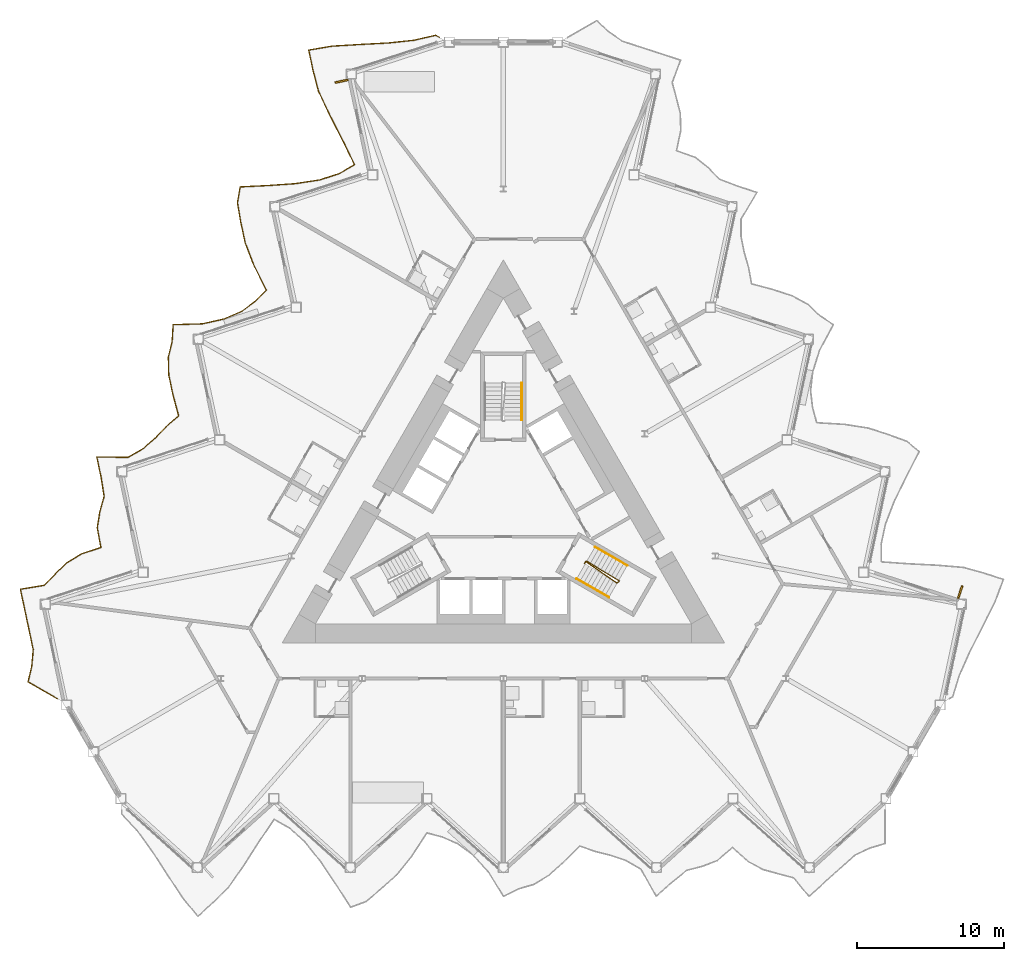
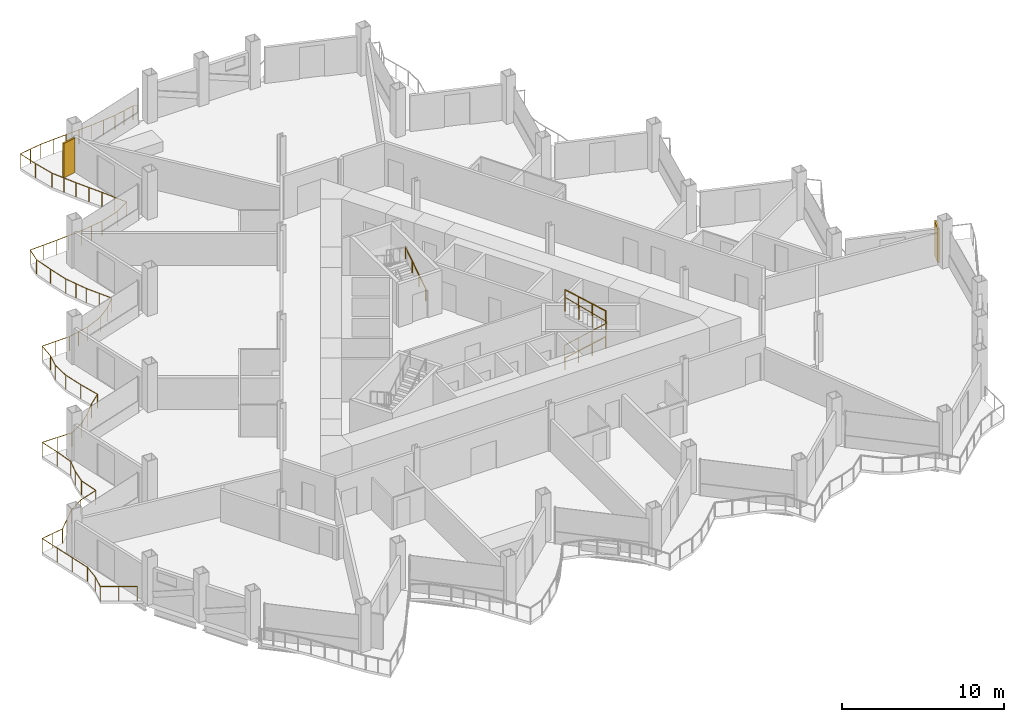
# One storey, part 20 of 23: 5 railings, 2 shading devices.
"""IFC4 building model written with IfcOpenShell, lengths in metres."""

from ifc_helpers import new_model, si_unit, direction, frame, origin, origin_2d, place, context, subcontext, project, spatial, rectangle, circle, extrude, material, layer, layer_set, type_object, element, save


model = new_model("IFC4")

# Units and contexts
model_context = context("Model", 3, precision=1e-05, world=origin(), true_north=direction((0.0, 1.0)))
body_context = subcontext(model_context, "Body", "Model", "MODEL_VIEW")
ifc_project = project(units=[si_unit("LENGTHUNIT", "METRE"), si_unit("AREAUNIT", "SQUARE_METRE"), si_unit("VOLUMEUNIT", "CUBIC_METRE"), si_unit("PLANEANGLEUNIT", "RADIAN"), si_unit("MASSUNIT", "GRAM", prefix="KILO")], contexts=[model_context])

# Site, building, storey
site_placement = place(None, origin())
site = spatial("IfcSite", under=ifc_project, at=site_placement, CompositionType="ELEMENT")
building_placement = place(site_placement, origin())
building = spatial("IfcBuilding", under=site, at=building_placement, Name="Cormorant Prow Tower", CompositionType="ELEMENT")
storey_placement = place(building_placement, frame((0.0, 0.0, 252.60009765625)))
storey = spatial("IfcBuildingStorey", under=building, at=storey_placement, Name="L56", CompositionType="ELEMENT", Elevation=252.60009765625)

# Railings
ifc_material_1 = material(Name="Aluminium 6063-T6", Category="aluminium")
railing_type_1 = type_object("IfcRailingType", Name="Balcony guard 1100", PredefinedType="GUARDRAIL", material=ifc_material_1)
railing_1_placement = place(storey_placement, frame((-4.348876953125, 32.414794921875, 0.0)))
element("IfcRailing", 1, at=railing_1_placement, inside=storey, type_object=railing_type_1, Name="Balcony guard WNW", PredefinedType="GUARDRAIL", context=body_context, shape_type="SweptSolid", body=[
    extrude(circle(Radius=0.02392578125, at=origin_2d()), frame((0.0, 0.0, 1.076171875), z_axis=(-0.865838944724, 0.500322817589, 0.0), x_axis=(-0.500322817589, -0.865838944724, 0.0)), (0.0, 0.0, 1.0), 0.269775390625),
    extrude(circle(Radius=0.02392578125, at=origin_2d()), frame((-0.233642578125, 0.135009765625, 1.076171875), z_axis=(-0.974797751922, -0.22309043648, 0.0), x_axis=(0.22309043648, -0.974797751922, 0.0)), (0.0, 0.0, 1.0), 1.522216796875),
    extrude(circle(Radius=0.02392578125, at=origin_2d()), frame((-1.717529296875, -0.20458984375, 1.076171875), z_axis=(-0.994581794299, -0.103956983649, 0.0), x_axis=(0.103956983649, -0.994581794299, 0.0)), (0.0, 0.0, 1.0), 1.763671875),
    extrude(circle(Radius=0.02392578125, at=origin_2d()), frame((-3.4716796875, -0.387939453125, 1.076171875), z_axis=(-0.998620310905, -0.052511662016, 0.0), x_axis=(0.052511662016, -0.998620310905, 0.0)), (0.0, 0.0, 1.0), 1.901611328125),
    extrude(circle(Radius=0.02392578125, at=origin_2d()), frame((-5.37060546875, -0.48779296875, 1.076171875), z_axis=(-0.998198317464, -0.06000099176, 0.0), x_axis=(0.06000099176, -0.998198317464, 0.0)), (0.0, 0.0, 1.0), 1.8798828125),
    extrude(circle(Radius=0.02392578125, at=origin_2d()), frame((-7.2470703125, -0.6005859375, 1.076171875), z_axis=(-0.986349342736, -0.164666250595, 0.0), x_axis=(0.164666250595, -0.986349342736, 0.0)), (0.0, 0.0, 1.0), 1.62939453125),
    extrude(circle(Radius=0.02392578125, at=origin_2d()), frame((-8.854248046875, -0.868896484375, 1.076171875), z_axis=(0.207890175504, -0.978152173708, 0.0), x_axis=(0.978152173708, 0.207890175504, 0.0)), (0.0, 0.0, 1.0), 1.39404296875),
    extrude(circle(Radius=0.02392578125, at=origin_2d()), frame((-8.564453125, -2.232421875, 1.076171875), z_axis=(0.250868855588, -0.968021083084, 0.0), x_axis=(0.968021083084, 0.250868855588, 0.0)), (0.0, 0.0, 1.0), 1.452880859375),
    extrude(circle(Radius=0.02392578125, at=origin_2d()), frame((-8.199951171875, -3.638916015625, 1.076171875), z_axis=(0.42504452231, -0.905172444374, 0.0), x_axis=(0.905172444374, 0.42504452231, 0.0)), (0.0, 0.0, 1.0), 1.812744140625),
    extrude(circle(Radius=0.02392578125, at=origin_2d()), frame((-7.429443359375, -5.27978515625, 1.076171875), z_axis=(0.457042214947, -0.889445003222, 0.0), x_axis=(0.889445003222, 0.457042214947, 0.0)), (0.0, 0.0, 1.0), 1.912353515625),
    extrude(circle(Radius=0.02392578125, at=origin_2d()), frame((-6.555419921875, -6.980712890625, 1.076171875), z_axis=(0.436662581505, -0.899625360866, 0.0), x_axis=(0.899625360866, 0.436662581505, 0.0)), (0.0, 0.0, 1.0), 1.84716796875),
    extrude(circle(Radius=0.02392578125, at=origin_2d()), frame((-5.748779296875, -8.642578125, 1.076171875), z_axis=(-0.86235547219, -0.506303307894, 0.0), x_axis=(0.506303307894, -0.86235547219, 0.0)), (0.0, 0.0, 1.0), 1.19091796875),
    extrude(circle(Radius=0.02392578125, at=origin_2d()), frame((-6.77587890625, -9.24560546875, 1.076171875), z_axis=(-0.952316734925, -0.305111186918, 0.0), x_axis=(0.305111186918, -0.952316734925, 0.0)), (0.0, 0.0, 1.0), 1.3994140625),
    extrude(circle(Radius=0.02392578125, at=origin_2d()), frame((-8.108642578125, -9.672607421875, 1.076171875), z_axis=(-0.988417686889, -0.151757952821, 0.0), x_axis=(0.151757952821, -0.988417686889, 0.0)), (0.0, 0.0, 1.0), 1.655517578125),
    extrude(circle(Radius=0.02392578125, at=origin_2d()), frame((-9.744873046875, -9.923828125, 1.076171875), z_axis=(-0.997587421512, -0.069421440794, 0.0), x_axis=(0.069421440794, -0.997587421512, 0.0)), (0.0, 0.0, 1.0), 1.853271484375),
    extrude(circle(Radius=0.02392578125, at=origin_2d()), frame((-11.59375, -10.052490234375, 1.076171875), z_axis=(-0.998789958657, -0.049179451859, 0.0), x_axis=(0.049179451859, -0.998789958657, 0.0)), (0.0, 0.0, 1.0), 1.9111328125),
    extrude(circle(Radius=0.02392578125, at=origin_2d()), frame((-13.502685546875, -10.146484375, 1.076171875), z_axis=(-0.165329575329, -0.986238374594, 0.0), x_axis=(0.986238374594, -0.165329575329, 0.0)), (0.0, 0.0, 1.0), 1.10595703125),
    extrude(circle(Radius=0.02392578125, at=origin_2d()), frame((-13.685546875, -11.2373046875, 1.076171875), z_axis=(0.171493859519, -0.985185188758, 0.0), x_axis=(0.985185188758, 0.171493859519, 0.0)), (0.0, 0.0, 1.0), 1.349609375),
    extrude(circle(Radius=0.02392578125, at=origin_2d()), frame((-13.4541015625, -12.56689453125, 1.076171875), z_axis=(0.207890175504, -0.978152173708, 0.0), x_axis=(0.978152173708, 0.207890175504, 0.0)), (0.0, 0.0, 1.0), 1.39404296875),
    extrude(circle(Radius=0.02392578125, at=origin_2d()), frame((-13.164306640625, -13.930419921875, 1.076171875), z_axis=(0.359435546798, -0.933169913627, 0.0), x_axis=(0.933169913627, 0.359435546798, 0.0)), (0.0, 0.0, 1.0), 1.6484375),
    extrude(circle(Radius=0.02392578125, at=origin_2d()), frame((-12.57177734375, -15.46875, 1.076171875), z_axis=(0.448509020419, -0.893778305064, 0.0), x_axis=(0.893778305064, 0.448509020419, 0.0)), (0.0, 0.0, 1.0), 1.884033203125),
    extrude(circle(Radius=0.02392578125, at=origin_2d()), frame((-11.726806640625, -17.152587890625, 1.076171875), z_axis=(-0.7048250733, -0.709381150051, 0.0), x_axis=(0.709381150051, -0.7048250733, 0.0)), (0.0, 0.0, 1.0), 1.07177734375),
    extrude(circle(Radius=0.02392578125, at=origin_2d()), frame((-12.482177734375, -17.912841796875, 1.076171875), z_axis=(-0.803334958935, -0.595527450042, 0.0), x_axis=(0.595527450042, -0.803334958935, 0.0)), (0.0, 0.0, 1.0), 1.12890625),
    extrude(circle(Radius=0.02392578125, at=origin_2d()), frame((-13.38916015625, -18.585205078125, 1.076171875), z_axis=(-0.916825847668, -0.399287321421, 0.0), x_axis=(0.399287321421, -0.916825847668, 0.0)), (0.0, 0.0, 1.0), 1.288330078125),
    extrude(circle(Radius=0.02392578125, at=origin_2d()), frame((-14.5703125, -19.099609375, 1.076171875), z_axis=(-0.976351593548, -0.21618872722, 0.0), x_axis=(0.21618872722, -0.976351593548, 0.0)), (0.0, 0.0, 1.0), 1.53369140625),
    extrude(circle(Radius=0.02392578125, at=origin_2d()), frame((-16.067626953125, -19.43115234375, 1.076171875), z_axis=(-0.999614039772, -0.027780775562, 0.0), x_axis=(0.027780775562, -0.999614039772, 0.0)), (0.0, 0.0, 1.0), 1.977294921875),
    extrude(circle(Radius=0.02392578125, at=origin_2d()), frame((-18.044189453125, -19.486083984375, 1.076171875), z_axis=(-0.062903941759, -0.998019586036, 0.0), x_axis=(0.998019586036, -0.062903941759, 0.0)), (0.0, 0.0, 1.0), 1.156494140625),
    extrude(circle(Radius=0.02392578125, at=origin_2d()), frame((-18.116943359375, -20.640380859375, 1.076171875), z_axis=(-0.237367680999, -0.97141988039, 0.0), x_axis=(0.97141988039, -0.237367680999, 0.0)), (0.0, 0.0, 1.0), 1.078857421875),
    extrude(circle(Radius=0.02392578125, at=origin_2d()), frame((-18.373046875, -21.6884765625, 1.076171875), z_axis=(0.02414268922, -0.999708522799, 0.0), x_axis=(0.999708522799, 0.02414268922, 0.0)), (0.0, 0.0, 1.0), 1.21337890625),
    extrude(circle(Radius=0.02392578125, at=origin_2d()), frame((-18.34375, -22.901611328125, 1.076171875), z_axis=(0.207890175504, -0.978152173708, 0.0), x_axis=(0.978152173708, 0.207890175504, 0.0)), (0.0, 0.0, 1.0), 1.39404296875),
    extrude(circle(Radius=0.02392578125, at=origin_2d()), frame((-18.053955078125, -24.26513671875, 1.076171875), z_axis=(0.259848107704, -0.965649502109, 0.0), x_axis=(0.965649502109, 0.259848107704, 0.0)), (0.0, 0.0, 1.0), 1.466552734375),
    extrude(circle(Radius=0.02392578125, at=origin_2d()), frame((-17.6728515625, -25.681396484375, 1.076171875), z_axis=(-0.761462428068, -0.648209048565, 0.0), x_axis=(0.648209048565, -0.761462428068, 0.0)), (0.0, 0.0, 1.0), 1.099365234375),
    extrude(circle(Radius=0.02392578125, at=origin_2d()), frame((-18.510009765625, -26.39404296875, 1.076171875), z_axis=(-0.694067852913, -0.719909588458, 0.0), x_axis=(0.719909588458, -0.694067852913, 0.0)), (0.0, 0.0, 1.0), 1.067626953125),
    extrude(circle(Radius=0.02392578125, at=origin_2d()), frame((-19.2509765625, -27.16259765625, 1.076171875), z_axis=(-0.747285863971, -0.664502699399, 0.0), x_axis=(0.664502699399, -0.747285863971, 0.0)), (0.0, 0.0, 1.0), 1.09130859375),
    extrude(circle(Radius=0.02392578125, at=origin_2d()), frame((-20.06640625, -27.8876953125, 1.076171875), z_axis=(-0.867414347486, -0.497586524914, 0.0), x_axis=(0.497586524914, -0.867414347486, 0.0)), (0.0, 0.0, 1.0), 1.1982421875),
    extrude(circle(Radius=0.02392578125, at=origin_2d()), frame((-21.105712890625, -28.48388671875, 1.076171875), z_axis=(-0.999921071725, 0.012563849777, 0.0), x_axis=(-0.012563849777, -0.999921071725, 0.0)), (0.0, 0.0, 1.0), 2.1181640625),
    extrude(circle(Radius=0.02392578125, at=origin_2d()), frame((-23.2236328125, -28.457275390625, 1.076171875), z_axis=(0.207890175504, -0.978152173708, 0.0), x_axis=(0.978152173708, 0.207890175504, 0.0)), (0.0, 0.0, 1.0), 1.39404296875),
    extrude(circle(Radius=0.02392578125, at=origin_2d()), frame((-22.933837890625, -29.82080078125, 1.076171875), z_axis=(0.157062298788, -0.987588696928, 0.0), x_axis=(0.987588696928, 0.157062298788, 0.0)), (0.0, 0.0, 1.0), 1.333740234375),
    extrude(circle(Radius=0.02392578125, at=origin_2d()), frame((-22.724365234375, -31.137939453125, 1.076171875), z_axis=(-0.273332360678, -0.961919653924, 0.0), x_axis=(0.961919653924, -0.273332360678, 0.0)), (0.0, 0.0, 1.0), 1.068359375),
    extrude(circle(Radius=0.02392578125, at=origin_2d()), frame((-23.016357421875, -32.16552734375, 1.076171875), z_axis=(-0.157363849991, -0.987540692182, 0.0), x_axis=(0.987540692182, -0.157363849991, 0.0)), (0.0, 0.0, 1.0), 1.109375),
    extrude(circle(Radius=0.02392578125, at=origin_2d()), frame((-23.19091796875, -33.260986328125, 1.076171875), z_axis=(0.181646185978, -0.983363952522, 0.0), x_axis=(0.983363952522, 0.181646185978, 0.0)), (0.0, 0.0, 1.0), 1.361572265625),
    extrude(circle(Radius=0.02392578125, at=origin_2d()), frame((-22.943603515625, -34.599853515625, 1.076171875), z_axis=(-0.95107267583, -0.308967256015, 0.0), x_axis=(0.308967256015, -0.95107267583, 0.0)), (0.0, 0.0, 1.0), 1.393798828125),
    extrude(circle(Radius=0.02392578125, at=origin_2d()), frame((-24.269287109375, -35.030517578125, 1.076171875), z_axis=(-0.851095176642, -0.52501142873, 0.0), x_axis=(0.52501142873, -0.851095176642, 0.0)), (0.0, 0.0, 1.0), 1.177001953125),
    extrude(circle(Radius=0.02392578125, at=origin_2d()), frame((-25.27099609375, -35.6484375, 1.076171875), z_axis=(-0.712876020925, -0.701290081771, 0.0), x_axis=(0.701290081771, -0.712876020925, 0.0)), (0.0, 0.0, 1.0), 1.07470703125),
    extrude(circle(Radius=0.02392578125, at=origin_2d()), frame((-26.037109375, -36.402099609375, 1.076171875), z_axis=(-0.70733432961, -0.706879159514, 0.0), x_axis=(0.706879159514, -0.70733432961, 0.0)), (0.0, 0.0, 1.0), 1.07275390625),
    extrude(circle(Radius=0.02392578125, at=origin_2d()), frame((-26.7958984375, -37.160400390625, 1.076171875), z_axis=(-0.986349342736, -0.164666250595, 0.0), x_axis=(0.164666250595, -0.986349342736, 0.0)), (0.0, 0.0, 1.0), 1.62939453125),
    extrude(circle(Radius=0.02392578125, at=origin_2d()), frame((-28.403076171875, -37.4287109375, 1.076171875), z_axis=(0.207925795705, -0.978144602541, 0.0), x_axis=(0.978144602541, 0.207925795705, 0.0)), (0.0, 0.0, 1.0), 1.393798828125),
    extrude(circle(Radius=0.02392578125, at=origin_2d()), frame((-28.11328125, -38.7919921875, 1.076171875), z_axis=(0.207890175504, -0.978152173708, 0.0), x_axis=(0.978152173708, 0.207890175504, 0.0)), (0.0, 0.0, 1.0), 1.39404296875),
    extrude(circle(Radius=0.02392578125, at=origin_2d()), frame((-27.823486328125, -40.155517578125, 1.076171875), z_axis=(0.207890175504, -0.978152173708, 0.0), x_axis=(0.978152173708, 0.207890175504, 0.0)), (0.0, 0.0, 1.0), 1.39404296875),
    extrude(circle(Radius=0.02392578125, at=origin_2d()), frame((-27.53369140625, -41.51904296875, 1.076171875), z_axis=(-0.086261062439, -0.996272567678, 0.0), x_axis=(0.996272567678, -0.086261062439, 0.0)), (0.0, 0.0, 1.0), 1.143310546875),
    extrude(circle(Radius=0.02392578125, at=origin_2d()), frame((-27.63232421875, -42.658203125, 1.076171875), z_axis=(-0.23194620114, -0.972728615687, 0.0), x_axis=(0.972728615687, -0.23194620114, 0.0)), (0.0, 0.0, 1.0), 1.0810546875),
    extrude(circle(Radius=0.02392578125, at=origin_2d()), frame((-27.883056640625, -43.709716796875, 1.076171875), z_axis=(0.866052595322, -0.499952899918, 0.0), x_axis=(0.499952899918, 0.866052595322, 0.0)), (0.0, 0.0, 1.0), 2.292724609375),
    extrude(circle(Radius=0.02099609375, at=origin_2d()), origin(), (0.0, 0.0, 1.0), 1.052001953125),
    extrude(circle(Radius=0.02099609375, at=origin_2d()), frame((-0.233642578125, 0.135009765625, 0.0)), (0.0, 0.0, 1.0), 1.052001953125),
    extrude(circle(Radius=0.02099609375, at=origin_2d()), frame((-0.9755859375, -0.03466796875, 0.0)), (0.0, 0.0, 1.0), 1.052001953125),
    extrude(circle(Radius=0.02099609375, at=origin_2d()), frame((-1.717529296875, -0.20458984375, 0.0)), (0.0, 0.0, 1.0), 1.052001953125),
    extrude(circle(Radius=0.02099609375, at=origin_2d()), frame((-2.5947265625, -0.29638671875, 0.0)), (0.0, 0.0, 1.0), 1.052001953125),
    extrude(circle(Radius=0.02099609375, at=origin_2d()), frame((-3.4716796875, -0.387939453125, 0.0)), (0.0, 0.0, 1.0), 1.052001953125),
    extrude(circle(Radius=0.02099609375, at=origin_2d()), frame((-4.421142578125, -0.43798828125, 0.0)), (0.0, 0.0, 1.0), 1.052001953125),
    extrude(circle(Radius=0.02099609375, at=origin_2d()), frame((-5.37060546875, -0.48779296875, 0.0)), (0.0, 0.0, 1.0), 1.052001953125),
    extrude(circle(Radius=0.02099609375, at=origin_2d()), frame((-6.308837890625, -0.544189453125, 0.0)), (0.0, 0.0, 1.0), 1.052001953125),
    extrude(circle(Radius=0.02099609375, at=origin_2d()), frame((-7.2470703125, -0.6005859375, 0.0)), (0.0, 0.0, 1.0), 1.052001953125),
    extrude(circle(Radius=0.02099609375, at=origin_2d()), frame((-8.05078125, -0.73486328125, 0.0)), (0.0, 0.0, 1.0), 1.052001953125),
    extrude(circle(Radius=0.02099609375, at=origin_2d()), frame((-8.854248046875, -0.868896484375, 0.0)), (0.0, 0.0, 1.0), 1.052001953125),
    extrude(circle(Radius=0.02099609375, at=origin_2d()), frame((-8.564453125, -2.232421875, 0.0)), (0.0, 0.0, 1.0), 1.052001953125),
    extrude(circle(Radius=0.02099609375, at=origin_2d()), frame((-8.199951171875, -3.638916015625, 0.0)), (0.0, 0.0, 1.0), 1.052001953125),
    extrude(circle(Radius=0.02099609375, at=origin_2d()), frame((-7.814697265625, -4.45947265625, 0.0)), (0.0, 0.0, 1.0), 1.052001953125),
    extrude(circle(Radius=0.02099609375, at=origin_2d()), frame((-7.429443359375, -5.27978515625, 0.0)), (0.0, 0.0, 1.0), 1.052001953125),
    extrude(circle(Radius=0.02099609375, at=origin_2d()), frame((-6.992431640625, -6.13037109375, 0.0)), (0.0, 0.0, 1.0), 1.052001953125),
    extrude(circle(Radius=0.02099609375, at=origin_2d()), frame((-6.555419921875, -6.980712890625, 0.0)), (0.0, 0.0, 1.0), 1.052001953125),
    extrude(circle(Radius=0.02099609375, at=origin_2d()), frame((-6.152099609375, -7.8115234375, 0.0)), (0.0, 0.0, 1.0), 1.052001953125),
    extrude(circle(Radius=0.02099609375, at=origin_2d()), frame((-5.748779296875, -8.642578125, 0.0)), (0.0, 0.0, 1.0), 1.052001953125),
    extrude(circle(Radius=0.02099609375, at=origin_2d()), frame((-6.77587890625, -9.24560546875, 0.0)), (0.0, 0.0, 1.0), 1.052001953125),
    extrude(circle(Radius=0.02099609375, at=origin_2d()), frame((-8.108642578125, -9.672607421875, 0.0)), (0.0, 0.0, 1.0), 1.052001953125),
    extrude(circle(Radius=0.02099609375, at=origin_2d()), frame((-8.9267578125, -9.79833984375, 0.0)), (0.0, 0.0, 1.0), 1.052001953125),
    extrude(circle(Radius=0.02099609375, at=origin_2d()), frame((-9.744873046875, -9.923828125, 0.0)), (0.0, 0.0, 1.0), 1.052001953125),
    extrude(circle(Radius=0.02099609375, at=origin_2d()), frame((-10.66943359375, -9.98828125, 0.0)), (0.0, 0.0, 1.0), 1.052001953125),
    extrude(circle(Radius=0.02099609375, at=origin_2d()), frame((-11.59375, -10.052490234375, 0.0)), (0.0, 0.0, 1.0), 1.052001953125),
    extrude(circle(Radius=0.02099609375, at=origin_2d()), frame((-12.54833984375, -10.099609375, 0.0)), (0.0, 0.0, 1.0), 1.052001953125),
    extrude(circle(Radius=0.02099609375, at=origin_2d()), frame((-13.502685546875, -10.146484375, 0.0)), (0.0, 0.0, 1.0), 1.052001953125),
    extrude(circle(Radius=0.02099609375, at=origin_2d()), frame((-13.685546875, -11.2373046875, 0.0)), (0.0, 0.0, 1.0), 1.052001953125),
    extrude(circle(Radius=0.02099609375, at=origin_2d()), frame((-13.4541015625, -12.56689453125, 0.0)), (0.0, 0.0, 1.0), 1.052001953125),
    extrude(circle(Radius=0.02099609375, at=origin_2d()), frame((-13.164306640625, -13.930419921875, 0.0)), (0.0, 0.0, 1.0), 1.052001953125),
    extrude(circle(Radius=0.02099609375, at=origin_2d()), frame((-12.8681640625, -14.69970703125, 0.0)), (0.0, 0.0, 1.0), 1.052001953125),
    extrude(circle(Radius=0.02099609375, at=origin_2d()), frame((-12.57177734375, -15.46875, 0.0)), (0.0, 0.0, 1.0), 1.052001953125),
    extrude(circle(Radius=0.02099609375, at=origin_2d()), frame((-12.1494140625, -16.310546875, 0.0)), (0.0, 0.0, 1.0), 1.052001953125),
    extrude(circle(Radius=0.02099609375, at=origin_2d()), frame((-11.726806640625, -17.152587890625, 0.0)), (0.0, 0.0, 1.0), 1.052001953125),
    extrude(circle(Radius=0.02099609375, at=origin_2d()), frame((-12.482177734375, -17.912841796875, 0.0)), (0.0, 0.0, 1.0), 1.052001953125),
    extrude(circle(Radius=0.02099609375, at=origin_2d()), frame((-13.38916015625, -18.585205078125, 0.0)), (0.0, 0.0, 1.0), 1.052001953125),
    extrude(circle(Radius=0.02099609375, at=origin_2d()), frame((-14.5703125, -19.099609375, 0.0)), (0.0, 0.0, 1.0), 1.052001953125),
    extrude(circle(Radius=0.02099609375, at=origin_2d()), frame((-15.31884765625, -19.265380859375, 0.0)), (0.0, 0.0, 1.0), 1.052001953125),
    extrude(circle(Radius=0.02099609375, at=origin_2d()), frame((-16.067626953125, -19.43115234375, 0.0)), (0.0, 0.0, 1.0), 1.052001953125),
    extrude(circle(Radius=0.02099609375, at=origin_2d()), frame((-17.055908203125, -19.45849609375, 0.0)), (0.0, 0.0, 1.0), 1.052001953125),
    extrude(circle(Radius=0.02099609375, at=origin_2d()), frame((-18.044189453125, -19.486083984375, 0.0)), (0.0, 0.0, 1.0), 1.052001953125),
    extrude(circle(Radius=0.02099609375, at=origin_2d()), frame((-18.116943359375, -20.640380859375, 0.0)), (0.0, 0.0, 1.0), 1.052001953125),
    extrude(circle(Radius=0.02099609375, at=origin_2d()), frame((-18.373046875, -21.6884765625, 0.0)), (0.0, 0.0, 1.0), 1.052001953125),
    extrude(circle(Radius=0.02099609375, at=origin_2d()), frame((-18.34375, -22.901611328125, 0.0)), (0.0, 0.0, 1.0), 1.052001953125),
    extrude(circle(Radius=0.02099609375, at=origin_2d()), frame((-18.053955078125, -24.26513671875, 0.0)), (0.0, 0.0, 1.0), 1.052001953125),
    extrude(circle(Radius=0.02099609375, at=origin_2d()), frame((-17.6728515625, -25.681396484375, 0.0)), (0.0, 0.0, 1.0), 1.052001953125),
    extrude(circle(Radius=0.02099609375, at=origin_2d()), frame((-18.510009765625, -26.39404296875, 0.0)), (0.0, 0.0, 1.0), 1.052001953125),
    extrude(circle(Radius=0.02099609375, at=origin_2d()), frame((-19.2509765625, -27.16259765625, 0.0)), (0.0, 0.0, 1.0), 1.052001953125),
    extrude(circle(Radius=0.02099609375, at=origin_2d()), frame((-20.06640625, -27.8876953125, 0.0)), (0.0, 0.0, 1.0), 1.052001953125),
    extrude(circle(Radius=0.02099609375, at=origin_2d()), frame((-21.105712890625, -28.48388671875, 0.0)), (0.0, 0.0, 1.0), 1.052001953125),
    extrude(circle(Radius=0.02099609375, at=origin_2d()), frame((-22.16455078125, -28.470703125, 0.0)), (0.0, 0.0, 1.0), 1.052001953125),
    extrude(circle(Radius=0.02099609375, at=origin_2d()), frame((-23.2236328125, -28.457275390625, 0.0)), (0.0, 0.0, 1.0), 1.052001953125),
    extrude(circle(Radius=0.02099609375, at=origin_2d()), frame((-22.933837890625, -29.82080078125, 0.0)), (0.0, 0.0, 1.0), 1.052001953125),
    extrude(circle(Radius=0.02099609375, at=origin_2d()), frame((-22.724365234375, -31.137939453125, 0.0)), (0.0, 0.0, 1.0), 1.052001953125),
    extrude(circle(Radius=0.02099609375, at=origin_2d()), frame((-23.016357421875, -32.16552734375, 0.0)), (0.0, 0.0, 1.0), 1.052001953125),
    extrude(circle(Radius=0.02099609375, at=origin_2d()), frame((-23.19091796875, -33.260986328125, 0.0)), (0.0, 0.0, 1.0), 1.052001953125),
    extrude(circle(Radius=0.02099609375, at=origin_2d()), frame((-22.943603515625, -34.599853515625, 0.0)), (0.0, 0.0, 1.0), 1.052001953125),
    extrude(circle(Radius=0.02099609375, at=origin_2d()), frame((-24.269287109375, -35.030517578125, 0.0)), (0.0, 0.0, 1.0), 1.052001953125),
    extrude(circle(Radius=0.02099609375, at=origin_2d()), frame((-25.27099609375, -35.6484375, 0.0)), (0.0, 0.0, 1.0), 1.052001953125),
    extrude(circle(Radius=0.02099609375, at=origin_2d()), frame((-26.037109375, -36.402099609375, 0.0)), (0.0, 0.0, 1.0), 1.052001953125),
    extrude(circle(Radius=0.02099609375, at=origin_2d()), frame((-26.7958984375, -37.160400390625, 0.0)), (0.0, 0.0, 1.0), 1.052001953125),
    extrude(circle(Radius=0.02099609375, at=origin_2d()), frame((-27.599609375, -37.29443359375, 0.0)), (0.0, 0.0, 1.0), 1.052001953125),
    extrude(circle(Radius=0.02099609375, at=origin_2d()), frame((-28.403076171875, -37.4287109375, 0.0)), (0.0, 0.0, 1.0), 1.052001953125),
    extrude(circle(Radius=0.02099609375, at=origin_2d()), frame((-28.11328125, -38.7919921875, 0.0)), (0.0, 0.0, 1.0), 1.052001953125),
    extrude(circle(Radius=0.02099609375, at=origin_2d()), frame((-27.823486328125, -40.155517578125, 0.0)), (0.0, 0.0, 1.0), 1.052001953125),
    extrude(circle(Radius=0.02099609375, at=origin_2d()), frame((-27.53369140625, -41.51904296875, 0.0)), (0.0, 0.0, 1.0), 1.052001953125),
    extrude(circle(Radius=0.02099609375, at=origin_2d()), frame((-27.63232421875, -42.658203125, 0.0)), (0.0, 0.0, 1.0), 1.052001953125),
    extrude(circle(Radius=0.02099609375, at=origin_2d()), frame((-27.883056640625, -43.709716796875, 0.0)), (0.0, 0.0, 1.0), 1.052001953125),
    extrude(circle(Radius=0.02099609375, at=origin_2d()), frame((-26.89013671875, -44.28271484375, 0.0)), (0.0, 0.0, 1.0), 1.052001953125),
    extrude(circle(Radius=0.02099609375, at=origin_2d()), frame((-25.8974609375, -44.85595703125, 0.0)), (0.0, 0.0, 1.0), 1.052001953125),
])
ifc_material_2 = material(Name="Stainless steel", Category="steel")
railing_type_2 = type_object("IfcRailingType", Name="Stair guard 1100", PredefinedType="GUARDRAIL", material=ifc_material_2)
railing_2_placement = place(storey_placement, frame((5.510009765625, -3.267822265625, 0.0)))
element("IfcRailing", 2, at=railing_2_placement, inside=storey, type_object=railing_type_2, Name="L56 ST2 stair guard 1", PredefinedType="GUARDRAIL", context=body_context, shape_type="SweptSolid", body=[
    extrude(circle(Radius=0.02392578125, at=origin_2d()), frame((0.0, 0.0, 1.076171875), z_axis=(0.501036270542, 0.865426285481, 0.0), x_axis=(-0.865426285481, 0.501036270542, 0.0)), (0.0, 0.0, 1.0), 0.150146484375),
    extrude(circle(Radius=0.02392578125, at=origin_2d()), frame((0.0751953125, 0.1298828125, 1.076171875), z_axis=(0.676088294965, -0.463849688241, 0.572492868192), x_axis=(0.565732651216, 0.824588726183, 0.0)), (0.0, 0.0, 1.0), 3.143798828125),
    extrude(circle(Radius=0.02392578125, at=origin_2d()), frame((2.20068359375, -1.328369140625, 2.8759765625), z_axis=(0.695164929852, 0.718850276695, 0.0), x_axis=(-0.718850276695, 0.695164929852, 0.0)), (0.0, 0.0, 1.0), 0.2060546875),
    extrude(circle(Radius=0.02392578125, at=origin_2d()), frame((2.343994140625, -1.18017578125, 2.8759765625), z_axis=(-0.70127624584, 0.423301980654, 0.573608804147), x_axis=(-0.516770599887, -0.856123908726, 0.0)), (0.0, 0.0, 1.0), 3.13818359375),
    extrude(circle(Radius=0.02099609375, at=origin_2d()), origin(), (0.0, 0.0, 1.0), 1.052001953125),
    extrude(circle(Radius=0.02099609375, at=origin_2d()), frame((0.0751953125, 0.1298828125, 0.0)), (0.0, 0.0, 1.0), 1.052001953125),
    extrude(circle(Radius=0.02099609375, at=origin_2d()), frame((0.78369140625, -0.356201171875, 0.599853515625)), (0.0, 0.0, 1.0), 1.052001953125),
    extrude(circle(Radius=0.02099609375, at=origin_2d()), frame((1.4921875, -0.84228515625, 1.199951171875)), (0.0, 0.0, 1.0), 1.052001953125),
    extrude(circle(Radius=0.02099609375, at=origin_2d()), frame((2.20068359375, -1.328369140625, 1.7998046875)), (0.0, 0.0, 1.0), 1.052001953125),
    extrude(circle(Radius=0.02099609375, at=origin_2d()), frame((2.343994140625, -1.18017578125, 1.7998046875)), (0.0, 0.0, 1.0), 1.052001953125),
    extrude(circle(Radius=0.02099609375, at=origin_2d()), frame((1.6103515625, -0.7373046875, 2.39990234375)), (0.0, 0.0, 1.0), 1.052001953125),
    extrude(circle(Radius=0.02099609375, at=origin_2d()), frame((0.876953125, -0.294677734375, 2.999755859375)), (0.0, 0.0, 1.0), 1.052001953125),
    extrude(circle(Radius=0.02099609375, at=origin_2d()), frame((0.143310546875, 0.148193359375, 3.599853515625)), (0.0, 0.0, 1.0), 1.052001953125),
])
ifc_material_3 = material(Name="Stainless steel", Category="steel")
railing_type_3 = type_object("IfcRailingType", Name="Stair handrail 900", PredefinedType="HANDRAIL", material=ifc_material_3)
railing_3_placement = place(storey_placement, frame((4.968994140625, -4.30517578125, 0.179931640625)))
element("IfcRailing", 3, at=railing_3_placement, inside=storey, type_object=railing_type_3, Name="L56 ST2 stair handrail 1", PredefinedType="HANDRAIL", context=body_context, shape_type="SweptSolid", body=[
    extrude(circle(Radius=0.02392578125, at=origin_2d()), frame((0.0, 0.0, 0.8759765625), z_axis=(0.72849590497, -0.42060268101, 0.54072830624), x_axis=(0.500004791531, 0.866022637375, 0.0)), (0.0, 0.0, 1.0), 2.99560546875),
    extrude(circle(Radius=0.02099609375, at=origin_2d()), origin(), (0.0, 0.0, 1.0), 0.851806640625),
    extrude(circle(Radius=0.02099609375, at=origin_2d()), frame((0.7275390625, -0.419921875, 0.5400390625)), (0.0, 0.0, 1.0), 0.851806640625),
    extrude(circle(Radius=0.02099609375, at=origin_2d()), frame((1.454833984375, -0.840087890625, 1.079833984375)), (0.0, 0.0, 1.0), 0.851806640625),
    extrude(circle(Radius=0.02099609375, at=origin_2d()), frame((2.182373046875, -1.260009765625, 1.619873046875)), (0.0, 0.0, 1.0), 0.851806640625),
])
railing_4_placement = place(storey_placement, frame((8.395263671875, -3.41064453125, 1.97998046875)))
element("IfcRailing", 4, at=railing_4_placement, inside=storey, type_object=railing_type_3, Name="L56 ST2 stair handrail 2", PredefinedType="HANDRAIL", context=body_context, shape_type="SweptSolid", body=[
    extrude(circle(Radius=0.02392578125, at=origin_2d()), frame((0.0, 0.0, 0.8759765625), z_axis=(-0.72849590497, 0.42060268101, 0.54072830624), x_axis=(-0.500004791531, -0.866022637375, 0.0)), (0.0, 0.0, 1.0), 2.99560546875),
    extrude(circle(Radius=0.02099609375, at=origin_2d()), origin(), (0.0, 0.0, 1.0), 0.851806640625),
    extrude(circle(Radius=0.02099609375, at=origin_2d()), frame((-0.7275390625, 0.419921875, 0.5400390625)), (0.0, 0.0, 1.0), 0.851806640625),
    extrude(circle(Radius=0.02099609375, at=origin_2d()), frame((-1.454833984375, 0.840087890625, 1.079833984375)), (0.0, 0.0, 1.0), 0.851806640625),
    extrude(circle(Radius=0.02099609375, at=origin_2d()), frame((-2.182373046875, 1.260009765625, 1.619873046875)), (0.0, 0.0, 1.0), 0.851806640625),
])
railing_5_placement = place(storey_placement, frame((1.243896484375, 6.455810546875, 0.179931640625)))
element("IfcRailing", 5, at=railing_5_placement, inside=storey, type_object=railing_type_3, Name="L56 ST3 stair handrail 1", PredefinedType="HANDRAIL", context=body_context, shape_type="SweptSolid", body=[
    extrude(circle(Radius=0.02392578125, at=origin_2d()), frame((0.0, 0.0, 0.8759765625), z_axis=(0.0, 0.841199657755, 0.540724639528), x_axis=(-1.0, 0.0, 0.0)), (0.0, 0.0, 1.0), 2.995849609375),
    extrude(circle(Radius=0.02099609375, at=origin_2d()), origin(), (0.0, 0.0, 1.0), 0.851806640625),
    extrude(circle(Radius=0.02099609375, at=origin_2d()), frame((0.0, 0.840087890625, 0.5400390625)), (0.0, 0.0, 1.0), 0.851806640625),
    extrude(circle(Radius=0.02099609375, at=origin_2d()), frame((0.0, 1.679931640625, 1.079833984375)), (0.0, 0.0, 1.0), 0.851806640625),
    extrude(circle(Radius=0.02099609375, at=origin_2d()), frame((0.0, 2.52001953125, 1.619873046875)), (0.0, 0.0, 1.0), 0.851806640625),
])

# Shading devices
ifc_material_4 = material(Name="Terracotta", Category="masonry")
ifc_layer = layer(ifc_material_4, 0.1201171875)
ifc_layer_set = layer_set([ifc_layer], Name="Terracotta")
shading_device_type = type_object("IfcShadingDeviceType", Name="Terracotta baguette fin 120x900x2600", PredefinedType="USERDEFINED", material=ifc_layer_set)
for number, where, z_axis, x_axis, name in (
    (6, (30.971923828125, -5.21240234375, -0.000244140625), (0.0, 0.0, 1.0), (-0.951056520475, 0.309016981511, 0.0), "Baguette fin ENE01"),
    (7, (-10.971923828125, 29.4287109375, -0.000244140625), (0.0, 0.0, 1.0), (0.207911825822, -0.978147572038, 0.0), "Baguette fin WNW01"),
):
    element("IfcShadingDevice", number, at=place(storey_placement, frame(where, z_axis=z_axis, x_axis=x_axis)), inside=storey, type_object=shading_device_type, Name=name, ObjectType="BAGUETTE", PredefinedType="USERDEFINED", context=body_context, shape_type="SweptSolid", body=[
        extrude(rectangle(XDim=0.1201171875, YDim=0.89990234375, at=origin_2d()), origin(), (0.0, 0.0, 1.0), 2.60009765625),
    ])

save(model, "model.ifc")
